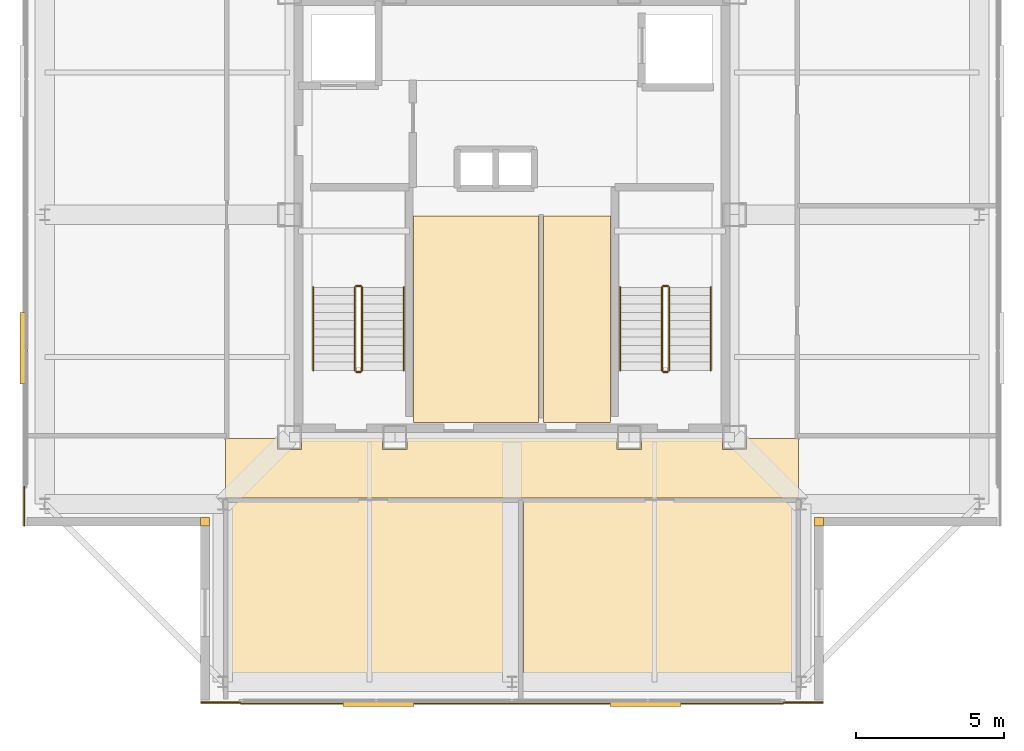
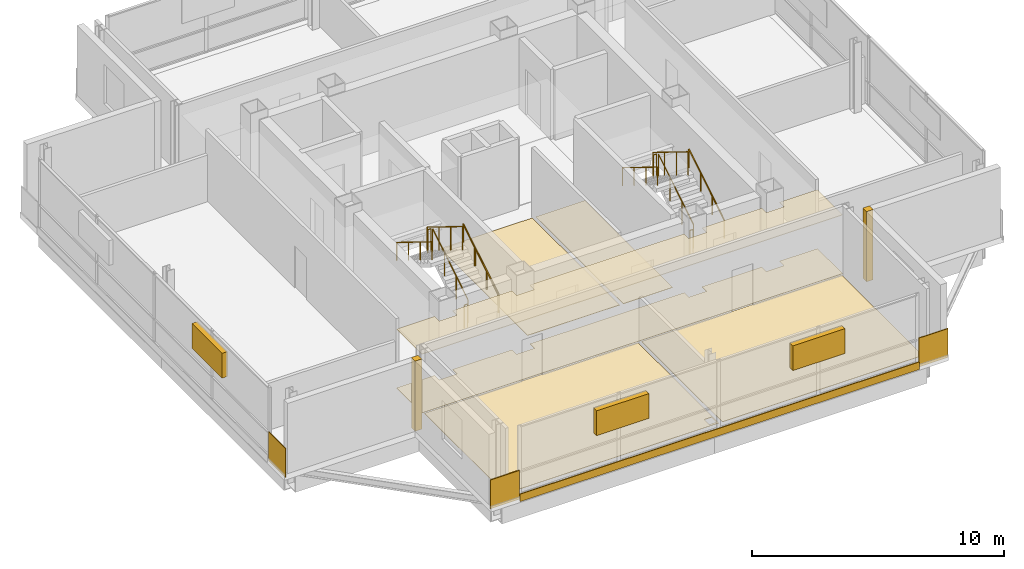
# One storey, part 10 of 11: 12 coverings, 12 railings, 3 shading devices.
"""IFC4 building model written with IfcOpenShell, lengths in metres."""

import ifcopenshell
import ifcopenshell.guid

model = None  # the IFC model being written
_history = None  # IfcOwnerHistory: only IFC2X3 demands one
_inside = {}  # id of a spatial element -> (the spatial element, [elements in it])
_under = {}  # id of a project, library or spatial element -> (it, [spatial elements below it])
_declared = {}  # id of a project -> (the project, [libraries it declares])
_typed = {}  # id of a type object -> (the type object, [elements of that type])
_made_of = {}  # id of a material, layer set ... -> (it, [elements and type objects made of it])


def new_model(schema):
    """Start an empty IFC model of exactly this schema.

    Asked for "IFC4X3", IfcOpenShell would pick the latest addendum, in which some entities
    have other attributes; the version numbers below select the first issue.
    IFC2X3 requires an IfcOwnerHistory on every rooted entity: one is made here for all.
    """
    global model, _history
    if schema == "IFC4X3":
        model = ifcopenshell.file(schema_version=(4, 3, 0, 0))
    else:
        model = ifcopenshell.file(schema=schema)
    _inside.clear()
    _under.clear()
    _declared.clear()
    _typed.clear()
    _made_of.clear()
    _history = None
    if model.schema == "IFC2X3":
        org = make("IfcOrganization", Name="unknown")
        user = make(
            "IfcPersonAndOrganization",
            ThePerson=make("IfcPerson", FamilyName="unknown"),
            TheOrganization=org,
        )
        app = make(
            "IfcApplication",
            ApplicationDeveloper=org,
            Version="unknown",
            ApplicationFullName="unknown",
            ApplicationIdentifier="unknown",
        )
        _history = make(
            "IfcOwnerHistory",
            OwningUser=user,
            OwningApplication=app,
            ChangeAction="ADDED",
            CreationDate=0,
        )
    return model


def make(cls, **values):
    """One entity of the class cls with the attributes given. An attribute that is None is left unset."""
    return model.create_entity(
        cls, **{name: value for name, value in values.items() if value is not None}
    )


def rooted(cls, **values):
    """An entity with a GlobalId (a new one), such as an element, a storey or a relation."""
    return make(cls, GlobalId=ifcopenshell.guid.new(), OwnerHistory=_history, **values)


def si_unit(unit_type, name, prefix=None):
    """IfcSIUnit, for example si_unit("LENGTHUNIT", "METRE", prefix="MILLI")."""
    return make("IfcSIUnit", UnitType=unit_type, Prefix=prefix, Name=name)


def assignment(units):
    """IfcUnitAssignment: the units of a project."""
    return None if units is None else make("IfcUnitAssignment", Units=units)


def point(xyz):
    """IfcCartesianPoint."""
    return None if xyz is None else make("IfcCartesianPoint", Coordinates=xyz)


def direction(xyz):
    """IfcDirection."""
    return None if xyz is None else make("IfcDirection", DirectionRatios=xyz)


def frame(location, z_axis=None, x_axis=None):
    """IfcAxis2Placement3D, a coordinate frame: its origin and axes. An axis left out is left unset."""
    return make(
        "IfcAxis2Placement3D",
        Location=point(location),
        Axis=direction(z_axis),
        RefDirection=direction(x_axis),
    )


def frame_2d(location, x_axis=None):
    """IfcAxis2Placement2D, a coordinate frame in the plane: its origin and x axis."""
    return make(
        "IfcAxis2Placement2D", Location=point(location), RefDirection=direction(x_axis)
    )


def origin():
    """The frame at (0, 0, 0) with its axes left unset."""
    return frame((0.0, 0.0, 0.0))


def origin_2d():
    """The frame at (0, 0) in the plane with its x axis left unset."""
    return frame_2d((0.0, 0.0))


def place(relative_to, where):
    """IfcLocalPlacement: puts the frame where relative to a parent placement (None: the world)."""
    return make(
        "IfcLocalPlacement", PlacementRelTo=relative_to, RelativePlacement=where
    )


def context(
    kind, dimensions, precision=None, world=None, true_north=None, identifier=None
):
    """IfcGeometricRepresentationContext, for example the 3D "Model" context."""
    return make(
        "IfcGeometricRepresentationContext",
        ContextIdentifier=identifier,
        ContextType=kind,
        CoordinateSpaceDimension=dimensions,
        Precision=precision,
        WorldCoordinateSystem=world,
        TrueNorth=true_north,
    )


def subcontext(parent, identifier, kind, view, scale=None):
    """IfcGeometricRepresentationSubContext, for example "Body" below "Model"."""
    return make(
        "IfcGeometricRepresentationSubContext",
        ContextIdentifier=identifier,
        ContextType=kind,
        ParentContext=parent,
        TargetScale=scale,
        TargetView=view,
    )


def project(units=None, contexts=None):
    """IfcProject with its units and contexts."""
    return rooted(
        "IfcProject",
        Name="project",
        RepresentationContexts=contexts,
        UnitsInContext=assignment(units),
    )


def spatial(cls, under=None, at=None, **own):
    """A site, building, storey or space (cls), placed at a placement, below another one or the project."""
    s = rooted(cls, ObjectPlacement=at, **own)
    if under is not None:
        _under.setdefault(under.id(), (under, []))[1].append(s)
    return s


def polyline(points):
    """IfcPolyline through the points."""
    return make("IfcPolyline", Points=[point(p) for p in points])


def profile(cls, at=None, kind="AREA", **sizes):
    """A parametric profile (cls). Its sizes go by their IFC names, for example OverallWidth=200.0."""
    return make(cls, ProfileType=kind, Position=at, **sizes)


def rectangle(**sizes):
    """IfcRectangleProfileDef."""
    return profile("IfcRectangleProfileDef", **sizes)


def circle(**sizes):
    """IfcCircleProfileDef."""
    return profile("IfcCircleProfileDef", **sizes)


def outline(outer, holes=None, kind="AREA"):
    """IfcArbitraryClosedProfileDef: a profile drawn as a closed curve; with holes, ...WithVoids."""
    if holes is None:
        return make("IfcArbitraryClosedProfileDef", ProfileType=kind, OuterCurve=outer)
    return make(
        "IfcArbitraryProfileDefWithVoids",
        ProfileType=kind,
        OuterCurve=outer,
        InnerCurves=holes,
    )


def extrude(swept, where, along, depth):
    """IfcExtrudedAreaSolid: the profile swept, set in the frame where, extruded along a direction by depth."""
    return make(
        "IfcExtrudedAreaSolid",
        SweptArea=swept,
        Position=where,
        ExtrudedDirection=direction(along),
        Depth=depth,
    )


def shape(context_of_items, identifier, shape_type, items):
    """IfcShapeRepresentation: the items that make up one representation, for example the "Body"."""
    return make(
        "IfcShapeRepresentation",
        ContextOfItems=context_of_items,
        RepresentationIdentifier=identifier,
        RepresentationType=shape_type,
        Items=items,
    )


def material(Name=None, Category=None):
    """IfcMaterial."""
    return make("IfcMaterial", Name=Name, Category=Category)


def layer(
    of_material, thickness, ventilated=None, Name=None, Category=None, Priority=None
):
    """IfcMaterialLayer: one layer of a wall or slab, of a material (None: an air gap)."""
    return make(
        "IfcMaterialLayer",
        Material=of_material,
        LayerThickness=thickness,
        IsVentilated=ventilated,
        Name=Name,
        Category=Category,
        Priority=Priority,
    )


def layer_set(layers, Name=None):
    """IfcMaterialLayerSet."""
    return make("IfcMaterialLayerSet", MaterialLayers=layers, LayerSetName=Name)


def made_of(thing, what):
    """Note that an element or type object is made of a material, layer set ...; save() writes the relation."""
    if what is not None:
        _made_of.setdefault(what.id(), (what, []))[1].append(thing)
    return thing


def type_object(cls, material=None, **own):
    """A type object (cls), such as IfcWallType, which elements share."""
    return made_of(rooted(cls, **own), material)


def element(
    cls,
    number,
    at=None,
    inside=None,
    cuts=None,
    type_object=None,
    material=None,
    context=None,
    identifier="Body",
    shape_type=None,
    held_by="IfcProductDefinitionShape",
    body=None,
    shapes=None,
    **own,
):
    """One element of the class cls, such as IfcWall. Its Tag is "e" and its number.

    at: its placement. inside: the storey or other place that contains it. cuts: it is an
    opening in that element (IfcRelVoidsElement). A single representation is given by context,
    identifier, shape_type and body (its items); several are given by shapes. held_by: the class
    of the entity that holds the representations. save() writes the other relations.
    """
    e = rooted(cls, Tag="e%d" % number, ObjectPlacement=at, **own)
    if body is not None:
        shapes = [shape(context, identifier, shape_type, body)]
    if shapes is not None:
        e.Representation = make(held_by, Representations=shapes)
    if inside is not None:
        _inside.setdefault(inside.id(), (inside, []))[1].append(e)
    if cuts is not None:
        rooted(
            "IfcRelVoidsElement", RelatingBuildingElement=cuts, RelatedOpeningElement=e
        )
    if type_object is not None:
        _typed.setdefault(type_object.id(), (type_object, []))[1].append(e)
    return made_of(e, material)


def aggregate(whole, parts):
    """IfcRelAggregates: a whole, such as a stair, and the parts it consists of."""
    return rooted("IfcRelAggregates", RelatingObject=whole, RelatedObjects=parts)


def save(model, path):
    """Write the relations noted so far, then the file.

    IfcRelAggregates (storeys below a building ...), IfcRelContainedInSpatialStructure (elements
    in a storey), IfcRelDefinesByType, IfcRelAssociatesMaterial and IfcRelDeclares: one each for
    every whole, place, type object, material and project.
    """
    for whole, parts in _under.values():
        aggregate(whole, parts)
    for where, things in _inside.values():
        rooted(
            "IfcRelContainedInSpatialStructure",
            RelatedElements=things,
            RelatingStructure=where,
        )
    for kind, things in _typed.values():
        rooted("IfcRelDefinesByType", RelatedObjects=things, RelatingType=kind)
    for what, things in _made_of.values():
        rooted("IfcRelAssociatesMaterial", RelatedObjects=things, RelatingMaterial=what)
    for by, libraries in _declared.values():
        rooted("IfcRelDeclares", RelatingContext=by, RelatedDefinitions=libraries)
    model.write(path)


model = new_model("IFC4")

# Units and contexts
model_context = context("Model", 3, precision=1e-05, world=origin(), true_north=direction((0.0, 1.0)))
body_context = subcontext(model_context, "Body", "Model", "MODEL_VIEW")
ifc_project = project(units=[si_unit("LENGTHUNIT", "METRE"), si_unit("AREAUNIT", "SQUARE_METRE"), si_unit("VOLUMEUNIT", "CUBIC_METRE"), si_unit("PLANEANGLEUNIT", "RADIAN"), si_unit("MASSUNIT", "GRAM", prefix="KILO")], contexts=[model_context])

# Site, building, storey
site_placement = place(None, origin())
site = spatial("IfcSite", under=ifc_project, at=site_placement, CompositionType="ELEMENT")
building_placement = place(site_placement, origin())
building = spatial("IfcBuilding", under=site, at=building_placement, Name="Trevonay Congress Spire", CompositionType="ELEMENT")
storey_placement = place(building_placement, frame((0.0, 0.0, 312.199951171875)))
storey = spatial("IfcBuildingStorey", under=building, at=storey_placement, Name="L82", CompositionType="ELEMENT", Elevation=312.199951171875)

# Coverings
ifc_material_1 = material(Name="Acoustic Mineral Fibre Board", Category="gypsum")
ifc_layer_1 = layer(ifc_material_1, 0.02490234375, Name="Acoustic Mineral Fibre Board")
ifc_layer_set_1 = layer_set([ifc_layer_1], Name="Acoustic Mineral Fibre Board")
covering_type_1 = type_object("IfcCoveringType", Name="COV-CEIL-ACOUSTIC", PredefinedType="CEILING", material=ifc_layer_set_1)
covering_1_placement = place(storey_placement, frame((0.0, 0.0, 2.85009765625)))
element("IfcCovering", 1, at=covering_1_placement, inside=storey, type_object=covering_type_1, Name="L82 Crown Gallery Corridor South acoustic suspended ceiling", PredefinedType="CEILING", context=body_context, shape_type="SweptSolid", body=[
    extrude(outline(polyline([(-9.570068359375, -9.550048828125), (-9.570068359375, -9.54345703125), (-9.64990234375, -9.54345703125), (-9.64990234375, -7.550048828125), (-7.909912109375, -7.550048828125), (-7.909912109375, -7.909912109375), (-7.090087890625, -7.909912109375), (-7.090087890625, -7.550048828125), (-4.360107421875, -7.550048828125), (-4.360107421875, -7.909912109375), (-3.5400390625, -7.909912109375), (-3.5400390625, -7.550048828125), (3.5400390625, -7.550048828125), (3.5400390625, -7.909912109375), (4.360107421875, -7.909912109375), (4.360107421875, -7.550048828125), (7.090087890625, -7.550048828125), (7.090087890625, -7.909912109375), (7.909912109375, -7.909912109375), (7.909912109375, -7.550048828125), (9.64990234375, -7.550048828125), (9.64990234375, -9.54345703125), (9.570068359375, -9.54345703125), (9.570068359375, -9.550048828125), (-9.570068359375, -9.550048828125)])), origin(), (0.0, 0.0, 1.0), 0.02490234375),
])
ifc_material_2 = material(Name="Polished Granite Floor Tile", Category="masonry")
ifc_layer_2 = layer(ifc_material_2, 0.02001953125, Name="Polished Granite Floor Tile")
ifc_layer_set_2 = layer_set([ifc_layer_2], Name="Polished Granite Floor Tile")
covering_type_2 = type_object("IfcCoveringType", Name="COV-FLOOR-STONE", PredefinedType="FLOORING", material=ifc_layer_set_2)
covering_2_placement = place(storey_placement, origin())
element("IfcCovering", 2, at=covering_2_placement, inside=storey, type_object=covering_type_2, Name="L82 Translation Equipment Hub floor finish", PredefinedType="FLOORING", context=body_context, shape_type="SweptSolid", body=[
    extrude(outline(polyline([(-3.320068359375, -7.0), (0.89990234375, -7.0), (0.89990234375, -0.050048828125), (-3.320068359375, -0.050048828125), (-3.320068359375, -7.0)])), origin(), (0.0, 0.0, 1.0), 0.02001953125),
])
covering_3_placement = place(storey_placement, origin())
element("IfcCovering", 3, at=covering_3_placement, inside=storey, type_object=covering_type_2, Name="L82 Floor Supplies Store floor finish", PredefinedType="FLOORING", context=body_context, shape_type="SweptSolid", body=[
    extrude(outline(polyline([(1.06005859375, -7.0), (3.320068359375, -7.0), (3.320068359375, -0.050048828125), (1.06005859375, -0.050048828125), (1.06005859375, -7.0)])), origin(), (0.0, 0.0, 1.0), 0.02001953125),
])
covering_4_placement = place(storey_placement, origin())
element("IfcCovering", 4, at=covering_4_placement, inside=storey, type_object=covering_type_2, Name="L82 Crown Gallery Corridor South floor finish", PredefinedType="FLOORING", context=body_context, shape_type="SweptSolid", body=[
    extrude(outline(polyline([(-9.570068359375, -9.550048828125), (-9.570068359375, -9.54345703125), (-9.64990234375, -9.54345703125), (-9.64990234375, -7.550048828125), (-7.909912109375, -7.550048828125), (-7.909912109375, -7.909912109375), (-7.090087890625, -7.909912109375), (-7.090087890625, -7.550048828125), (-4.360107421875, -7.550048828125), (-4.360107421875, -7.909912109375), (-3.5400390625, -7.909912109375), (-3.5400390625, -7.550048828125), (3.5400390625, -7.550048828125), (3.5400390625, -7.909912109375), (4.360107421875, -7.909912109375), (4.360107421875, -7.550048828125), (7.090087890625, -7.550048828125), (7.090087890625, -7.909912109375), (7.909912109375, -7.909912109375), (7.909912109375, -7.550048828125), (9.64990234375, -7.550048828125), (9.64990234375, -9.54345703125), (9.570068359375, -9.54345703125), (9.570068359375, -9.550048828125), (-9.570068359375, -9.550048828125)])), origin(), (0.0, 0.0, 1.0), 0.02001953125),
])
covering_5_placement = place(storey_placement, origin())
element("IfcCovering", 5, at=covering_5_placement, inside=storey, type_object=covering_type_2, Name="L82 Tuned Mass Damper Chamber South floor finish", PredefinedType="FLOORING", context=body_context, shape_type="SweptSolid", body=[
    extrude(outline(polyline([(0.219970703125, -9.6201171875), (0.219970703125, -16.050048828125), (-9.570068359375, -16.050048828125), (-9.570068359375, -9.95654296875), (-9.570068359375, -9.6201171875), (0.219970703125, -9.6201171875)]), holes=[polyline([(-0.1708984375, -15.946044921875), (0.1708984375, -15.946044921875), (0.1708984375, -15.553955078125), (-0.1708984375, -15.553955078125), (-0.1708984375, -15.946044921875)])]), origin(), (0.0, 0.0, 1.0), 0.02001953125),
])
covering_6_placement = place(storey_placement, origin())
element("IfcCovering", 6, at=covering_6_placement, inside=storey, type_object=covering_type_2, Name="L82 Damper Hydraulic Control Plant floor finish", PredefinedType="FLOORING", context=body_context, shape_type="SweptSolid", body=[
    extrude(outline(polyline([(9.570068359375, -16.050048828125), (0.3798828125, -16.050048828125), (0.3798828125, -9.6201171875), (9.570068359375, -9.6201171875), (9.570068359375, -9.95654296875), (9.570068359375, -16.050048828125)])), origin(), (0.0, 0.0, 1.0), 0.02001953125),
])
ifc_material_3 = material(Name="Pale Anodised Aluminium EN AW-6063-T6", Category="aluminium")
ifc_layer_3 = layer(ifc_material_3, 0.0400390625, Name="Pale Anodised Aluminium EN AW-6063-T6")
ifc_layer_set_3 = layer_set([ifc_layer_3], Name="Pale Anodised Aluminium EN AW-6063-T6")
covering_type_3 = type_object("IfcCoveringType", Name="COV-SPANDREL-PALE-METAL", PredefinedType="CLADDING", material=ifc_layer_set_3)
covering_7_placement = place(storey_placement, frame((-9.14990234375, -16.47998046875, -0.239990234375), z_axis=(0.0, 0.0, 1.0), x_axis=(1.0, 0.0, 0.0)))
element("IfcCovering", 7, at=covering_7_placement, inside=storey, type_object=covering_type_3, Name="L82 S pale-metal slab-edge spandrel cladding", PredefinedType="CLADDING", context=body_context, shape_type="SweptSolid", body=[
    extrude(rectangle(XDim=18.2998046875, YDim=0.0400390625, at=frame_2d((9.14990234375, 0.0))), origin(), (0.0, 0.0, 1.0), 0.360107421875),
])
covering_8_placement = place(storey_placement, origin())
element("IfcCovering", 8, at=covering_8_placement, inside=storey, type_object=covering_type_3, Name="L82 SW re-entrant notch corner closure trim", PredefinedType="CLADDING", context=body_context, shape_type="SweptSolid", body=[
    extrude(outline(polyline([(-10.5, -10.5), (-10.199951171875, -10.5), (-10.199951171875, -10.199951171875), (-10.5, -10.199951171875), (-10.5, -10.5)])), origin(), (0.0, 0.0, 1.0), 3.400146484375),
])
for number, where, z_axis, x_axis, name in (
    (9, (-16.43994140625, -9.14990234375, -0.14990234375), (0.0, 0.0, 1.0), (0.0, -1.0, 0.0), "L82 SW corner pier spandrel cladding 1"),
    (10, (-9.14990234375, -16.43994140625, -0.14990234375), (0.0, 0.0, 1.0), (-1.0, 0.0, 0.0), "L82 SW corner pier spandrel cladding 2"),
):
    element("IfcCovering", number, at=place(storey_placement, frame(where, z_axis=z_axis, x_axis=x_axis)), inside=storey, type_object=covering_type_3, Name=name, PredefinedType="CLADDING", context=body_context, shape_type="SweptSolid", body=[
        extrude(rectangle(XDim=1.35009765625, YDim=0.0400390625, at=frame_2d((0.675048828125, 0.0))), origin(), (0.0, 0.0, 1.0), 1.39990234375),
    ])
covering_9_placement = place(storey_placement, origin())
element("IfcCovering", 11, at=covering_9_placement, inside=storey, type_object=covering_type_3, Name="L82 SE re-entrant notch corner closure trim", PredefinedType="CLADDING", context=body_context, shape_type="SweptSolid", body=[
    extrude(outline(polyline([(10.199951171875, -10.5), (10.5, -10.5), (10.5, -10.199951171875), (10.199951171875, -10.199951171875), (10.199951171875, -10.5)])), origin(), (0.0, 0.0, 1.0), 3.400146484375),
])
covering_10_placement = place(storey_placement, frame((9.14990234375, -16.43994140625, -0.14990234375), z_axis=(0.0, 0.0, 1.0), x_axis=(1.0, 0.0, 0.0)))
element("IfcCovering", 12, at=covering_10_placement, inside=storey, type_object=covering_type_3, Name="L82 SE corner pier spandrel cladding 2", PredefinedType="CLADDING", context=body_context, shape_type="SweptSolid", body=[
    extrude(rectangle(XDim=1.35009765625, YDim=0.0400390625, at=frame_2d((0.675048828125, 0.0))), origin(), (0.0, 0.0, 1.0), 1.39990234375),
])

# Railings
railing_type_1 = type_object("IfcRailingType", Name="RAL-STAIR-GUARD-110", PredefinedType="GUARDRAIL", material=ifc_material_3)
railing_1_placement = place(storey_placement, frame((-5.050048828125, -5.25, 0.1728515625)))
element("IfcRailing", 13, at=railing_1_placement, inside=storey, type_object=railing_type_1, Name="L82 ST-1 stair guard 1", PredefinedType="GUARDRAIL", context=body_context, shape_type="SweptSolid", body=[
    extrude(circle(Radius=0.02392578125, at=origin_2d()), frame((0.0, 0.0, 1.1259765625), z_axis=(0.0, 0.851089632645, 0.525020415988), x_axis=(-1.0, 0.0, 0.0)), (0.0, 0.0, 1.0), 3.2900390625),
    extrude(circle(Radius=0.02099609375, at=origin_2d()), origin(), (0.0, 0.0, 1.0), 1.101806640625),
    extrude(circle(Radius=0.02099609375, at=origin_2d()), frame((0.0, 0.933349609375, 0.57568359375)), (0.0, 0.0, 1.0), 1.101806640625),
    extrude(circle(Radius=0.02099609375, at=origin_2d()), frame((0.0, 1.86669921875, 1.151611328125)), (0.0, 0.0, 1.0), 1.101806640625),
    extrude(circle(Radius=0.02099609375, at=origin_2d()), frame((0.0, 2.800048828125, 1.727294921875)), (0.0, 0.0, 1.0), 1.101806640625),
])
railing_2_placement = place(storey_placement, frame((-5.10009765625, -2.39990234375, 1.900146484375)))
element("IfcRailing", 14, at=railing_2_placement, inside=storey, type_object=railing_type_1, Name="L82 ST-1 stair guard 2", PredefinedType="GUARDRAIL", context=body_context, shape_type="SweptSolid", body=[
    extrude(circle(Radius=0.02392578125, at=origin_2d()), frame((0.0, 0.0, 1.1259765625), z_axis=(-1.0, 0.0, 0.0), x_axis=(0.0, -1.0, 0.0)), (0.0, 0.0, 1.0), 0.14990234375),
    extrude(circle(Radius=0.02099609375, at=origin_2d()), origin(), (0.0, 0.0, 1.0), 1.101806640625),
    extrude(circle(Radius=0.02099609375, at=origin_2d()), frame((-0.14990234375, 0.0, 0.0)), (0.0, 0.0, 1.0), 1.101806640625),
])
railing_3_placement = place(storey_placement, frame((-5.300048828125, -2.449951171875, 2.07275390625)))
element("IfcRailing", 15, at=railing_3_placement, inside=storey, type_object=railing_type_1, Name="L82 ST-1 stair guard 3", PredefinedType="GUARDRAIL", context=body_context, shape_type="SweptSolid", body=[
    extrude(circle(Radius=0.02392578125, at=origin_2d()), frame((0.0, 0.0, 1.1259765625), z_axis=(0.0, -0.851089632645, 0.525020415988), x_axis=(1.0, 0.0, 0.0)), (0.0, 0.0, 1.0), 3.2900390625),
    extrude(circle(Radius=0.02099609375, at=origin_2d()), origin(), (0.0, 0.0, 1.0), 1.101806640625),
    extrude(circle(Radius=0.02099609375, at=origin_2d()), frame((0.0, -0.933349609375, 0.57568359375)), (0.0, 0.0, 1.0), 1.101806640625),
    extrude(circle(Radius=0.02099609375, at=origin_2d()), frame((0.0, -1.86669921875, 1.151611328125)), (0.0, 0.0, 1.0), 1.101806640625),
    extrude(circle(Radius=0.02099609375, at=origin_2d()), frame((0.0, -2.800048828125, 1.727294921875)), (0.0, 0.0, 1.0), 1.101806640625),
])
railing_4_placement = place(storey_placement, frame((-5.10009765625, -5.300048828125, 0.0)))
element("IfcRailing", 16, at=railing_4_placement, inside=storey, type_object=railing_type_1, Name="L82 ST-1 stair guard 4", PredefinedType="GUARDRAIL", context=body_context, shape_type="SweptSolid", body=[
    extrude(circle(Radius=0.02392578125, at=origin_2d()), frame((0.0, 0.0, 1.1259765625), z_axis=(-1.0, 0.0, 0.0), x_axis=(0.0, -1.0, 0.0)), (0.0, 0.0, 1.0), 0.14990234375),
    extrude(circle(Radius=0.02099609375, at=origin_2d()), origin(), (0.0, 0.0, 1.0), 1.101806640625),
    extrude(circle(Radius=0.02099609375, at=origin_2d()), frame((-0.14990234375, 0.0, 0.0)), (0.0, 0.0, 1.0), 1.101806640625),
])
railing_5_placement = place(storey_placement, frame((5.300048828125, -5.25, 0.1728515625)))
element("IfcRailing", 17, at=railing_5_placement, inside=storey, type_object=railing_type_1, Name="L82 ST-2 stair guard 1", PredefinedType="GUARDRAIL", context=body_context, shape_type="SweptSolid", body=[
    extrude(circle(Radius=0.02392578125, at=origin_2d()), frame((0.0, 0.0, 1.1259765625), z_axis=(0.0, 0.851089632645, 0.525020415988), x_axis=(-1.0, 0.0, 0.0)), (0.0, 0.0, 1.0), 3.2900390625),
    extrude(circle(Radius=0.02099609375, at=origin_2d()), origin(), (0.0, 0.0, 1.0), 1.101806640625),
    extrude(circle(Radius=0.02099609375, at=origin_2d()), frame((0.0, 0.933349609375, 0.57568359375)), (0.0, 0.0, 1.0), 1.101806640625),
    extrude(circle(Radius=0.02099609375, at=origin_2d()), frame((0.0, 1.86669921875, 1.151611328125)), (0.0, 0.0, 1.0), 1.101806640625),
    extrude(circle(Radius=0.02099609375, at=origin_2d()), frame((0.0, 2.800048828125, 1.727294921875)), (0.0, 0.0, 1.0), 1.101806640625),
])
railing_6_placement = place(storey_placement, frame((5.25, -2.39990234375, 1.900146484375)))
element("IfcRailing", 18, at=railing_6_placement, inside=storey, type_object=railing_type_1, Name="L82 ST-2 stair guard 2", PredefinedType="GUARDRAIL", context=body_context, shape_type="SweptSolid", body=[
    extrude(circle(Radius=0.02392578125, at=origin_2d()), frame((0.0, 0.0, 1.1259765625), z_axis=(-1.0, 0.0, 0.0), x_axis=(0.0, -1.0, 0.0)), (0.0, 0.0, 1.0), 0.14990234375),
    extrude(circle(Radius=0.02099609375, at=origin_2d()), origin(), (0.0, 0.0, 1.0), 1.101806640625),
    extrude(circle(Radius=0.02099609375, at=origin_2d()), frame((-0.14990234375, 0.0, 0.0)), (0.0, 0.0, 1.0), 1.101806640625),
])
railing_7_placement = place(storey_placement, frame((5.050048828125, -2.449951171875, 2.07275390625)))
element("IfcRailing", 19, at=railing_7_placement, inside=storey, type_object=railing_type_1, Name="L82 ST-2 stair guard 3", PredefinedType="GUARDRAIL", context=body_context, shape_type="SweptSolid", body=[
    extrude(circle(Radius=0.02392578125, at=origin_2d()), frame((0.0, 0.0, 1.1259765625), z_axis=(0.0, -0.851089632645, 0.525020415988), x_axis=(1.0, 0.0, 0.0)), (0.0, 0.0, 1.0), 3.2900390625),
    extrude(circle(Radius=0.02099609375, at=origin_2d()), origin(), (0.0, 0.0, 1.0), 1.101806640625),
    extrude(circle(Radius=0.02099609375, at=origin_2d()), frame((0.0, -0.933349609375, 0.57568359375)), (0.0, 0.0, 1.0), 1.101806640625),
    extrude(circle(Radius=0.02099609375, at=origin_2d()), frame((0.0, -1.86669921875, 1.151611328125)), (0.0, 0.0, 1.0), 1.101806640625),
    extrude(circle(Radius=0.02099609375, at=origin_2d()), frame((0.0, -2.800048828125, 1.727294921875)), (0.0, 0.0, 1.0), 1.101806640625),
])
railing_8_placement = place(storey_placement, frame((5.25, -5.300048828125, 0.0)))
element("IfcRailing", 20, at=railing_8_placement, inside=storey, type_object=railing_type_1, Name="L82 ST-2 stair guard 4", PredefinedType="GUARDRAIL", context=body_context, shape_type="SweptSolid", body=[
    extrude(circle(Radius=0.02392578125, at=origin_2d()), frame((0.0, 0.0, 1.1259765625), z_axis=(-1.0, 0.0, 0.0), x_axis=(0.0, -1.0, 0.0)), (0.0, 0.0, 1.0), 0.14990234375),
    extrude(circle(Radius=0.02099609375, at=origin_2d()), origin(), (0.0, 0.0, 1.0), 1.101806640625),
    extrude(circle(Radius=0.02099609375, at=origin_2d()), frame((-0.14990234375, 0.0, 0.0)), (0.0, 0.0, 1.0), 1.101806640625),
])
railing_type_2 = type_object("IfcRailingType", Name="RAL-STAIR-HANDRAIL", PredefinedType="HANDRAIL", material=ifc_material_3)
railing_9_placement = place(storey_placement, frame((-3.64990234375, -5.25, 0.1728515625)))
element("IfcRailing", 21, at=railing_9_placement, inside=storey, type_object=railing_type_2, Name="L82 ST-1 stair handrail 1", PredefinedType="HANDRAIL", context=body_context, shape_type="SweptSolid", body=[
    extrude(circle(Radius=0.02392578125, at=origin_2d()), frame((0.0, 0.0, 0.8759765625), z_axis=(0.0, 0.851089632645, 0.525020415988), x_axis=(-1.0, 0.0, 0.0)), (0.0, 0.0, 1.0), 3.2900390625),
    extrude(circle(Radius=0.02099609375, at=origin_2d()), origin(), (0.0, 0.0, 1.0), 0.851806640625),
    extrude(circle(Radius=0.02099609375, at=origin_2d()), frame((0.0, 0.933349609375, 0.57568359375)), (0.0, 0.0, 1.0), 0.851806640625),
    extrude(circle(Radius=0.02099609375, at=origin_2d()), frame((0.0, 1.86669921875, 1.151611328125)), (0.0, 0.0, 1.0), 0.851806640625),
    extrude(circle(Radius=0.02099609375, at=origin_2d()), frame((0.0, 2.800048828125, 1.727294921875)), (0.0, 0.0, 1.0), 0.851806640625),
])
railing_10_placement = place(storey_placement, frame((-6.699951171875, -2.449951171875, 2.07275390625)))
element("IfcRailing", 22, at=railing_10_placement, inside=storey, type_object=railing_type_2, Name="L82 ST-1 stair handrail 2", PredefinedType="HANDRAIL", context=body_context, shape_type="SweptSolid", body=[
    extrude(circle(Radius=0.02392578125, at=origin_2d()), frame((0.0, 0.0, 0.8759765625), z_axis=(0.0, -0.851089632645, 0.525020415988), x_axis=(1.0, 0.0, 0.0)), (0.0, 0.0, 1.0), 3.2900390625),
    extrude(circle(Radius=0.02099609375, at=origin_2d()), origin(), (0.0, 0.0, 1.0), 0.851806640625),
    extrude(circle(Radius=0.02099609375, at=origin_2d()), frame((0.0, -0.933349609375, 0.57568359375)), (0.0, 0.0, 1.0), 0.851806640625),
    extrude(circle(Radius=0.02099609375, at=origin_2d()), frame((0.0, -1.86669921875, 1.151611328125)), (0.0, 0.0, 1.0), 0.851806640625),
    extrude(circle(Radius=0.02099609375, at=origin_2d()), frame((0.0, -2.800048828125, 1.727294921875)), (0.0, 0.0, 1.0), 0.851806640625),
])
railing_11_placement = place(storey_placement, frame((6.699951171875, -5.25, 0.1728515625)))
element("IfcRailing", 23, at=railing_11_placement, inside=storey, type_object=railing_type_2, Name="L82 ST-2 stair handrail 1", PredefinedType="HANDRAIL", context=body_context, shape_type="SweptSolid", body=[
    extrude(circle(Radius=0.02392578125, at=origin_2d()), frame((0.0, 0.0, 0.8759765625), z_axis=(0.0, 0.851089632645, 0.525020415988), x_axis=(-1.0, 0.0, 0.0)), (0.0, 0.0, 1.0), 3.2900390625),
    extrude(circle(Radius=0.02099609375, at=origin_2d()), origin(), (0.0, 0.0, 1.0), 0.851806640625),
    extrude(circle(Radius=0.02099609375, at=origin_2d()), frame((0.0, 0.933349609375, 0.57568359375)), (0.0, 0.0, 1.0), 0.851806640625),
    extrude(circle(Radius=0.02099609375, at=origin_2d()), frame((0.0, 1.86669921875, 1.151611328125)), (0.0, 0.0, 1.0), 0.851806640625),
    extrude(circle(Radius=0.02099609375, at=origin_2d()), frame((0.0, 2.800048828125, 1.727294921875)), (0.0, 0.0, 1.0), 0.851806640625),
])
railing_12_placement = place(storey_placement, frame((3.64990234375, -2.449951171875, 2.07275390625)))
element("IfcRailing", 24, at=railing_12_placement, inside=storey, type_object=railing_type_2, Name="L82 ST-2 stair handrail 2", PredefinedType="HANDRAIL", context=body_context, shape_type="SweptSolid", body=[
    extrude(circle(Radius=0.02392578125, at=origin_2d()), frame((0.0, 0.0, 0.8759765625), z_axis=(0.0, -0.851089632645, 0.525020415988), x_axis=(1.0, 0.0, 0.0)), (0.0, 0.0, 1.0), 3.2900390625),
    extrude(circle(Radius=0.02099609375, at=origin_2d()), origin(), (0.0, 0.0, 1.0), 0.851806640625),
    extrude(circle(Radius=0.02099609375, at=origin_2d()), frame((0.0, -0.933349609375, 0.57568359375)), (0.0, 0.0, 1.0), 0.851806640625),
    extrude(circle(Radius=0.02099609375, at=origin_2d()), frame((0.0, -1.86669921875, 1.151611328125)), (0.0, 0.0, 1.0), 0.851806640625),
    extrude(circle(Radius=0.02099609375, at=origin_2d()), frame((0.0, -2.800048828125, 1.727294921875)), (0.0, 0.0, 1.0), 0.851806640625),
])

# Shading devices
shading_device_type = type_object("IfcShadingDeviceType", Name="SHD-LOUVRE-PLANT-ALUM", PredefinedType="USERDEFINED", material=ifc_material_3)
for number, where, z_axis, x_axis, name in (
    (25, (-4.5, -16.4599609375, 1.80029296875), (0.0, 0.0, 1.0), (1.0, 0.0, 0.0), "L82 S crown plant intake louvre 1"),
    (26, (4.5, -16.4599609375, 1.80029296875), (0.0, 0.0, 1.0), (1.0, 0.0, 0.0), "L82 S crown plant intake louvre 2"),
    (27, (-16.4599609375, -4.5, 1.80029296875), (0.0, 0.0, 1.0), (0.0, 1.0, 0.0), "L82 W crown plant intake louvre 1"),
):
    element("IfcShadingDevice", number, at=place(storey_placement, frame(where, z_axis=z_axis, x_axis=x_axis)), inside=storey, type_object=shading_device_type, Name=name, ObjectType="LOUVRE", PredefinedType="USERDEFINED", context=body_context, shape_type="SweptSolid", body=[
        extrude(rectangle(XDim=2.39990234375, YDim=0.25, at=origin_2d()), origin(), (0.0, 0.0, 1.0), 1.199951171875),
    ])

save(model, "model.ifc")
